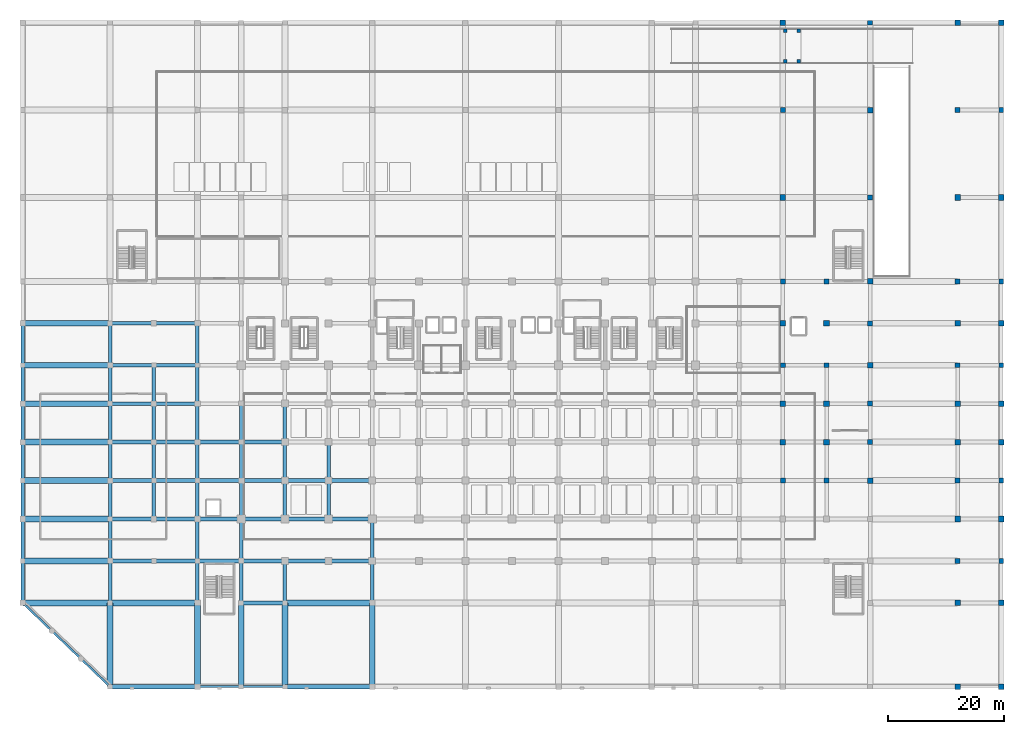
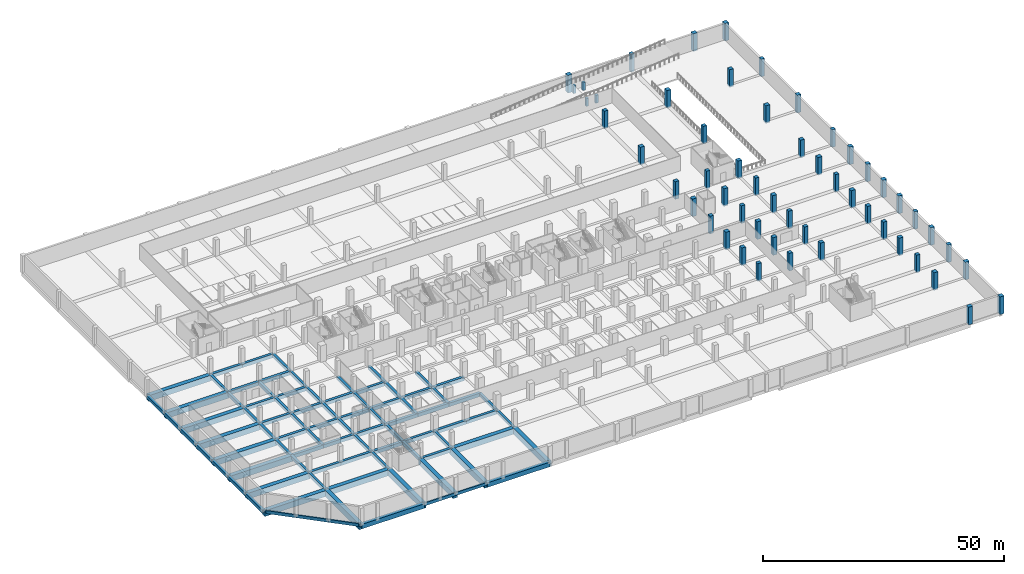
# One storey, part 2 of 25: 89 beams, 54 columns.
"""IFC4 building model written with IfcOpenShell, lengths in metres."""

from ifc_helpers import new_model, si_unit, direction, frame, origin, origin_2d, place, context, subcontext, project, spatial, rectangle, extrude, material, material_profile, profile_set, type_object, element, save


model = new_model("IFC4")

# Units and contexts
model_context = context("Model", 3, precision=1e-05, world=origin(), true_north=direction((0.0, 1.0)))
body_context = subcontext(model_context, "Body", "Model", "MODEL_VIEW")
ifc_project = project(units=[si_unit("LENGTHUNIT", "METRE"), si_unit("AREAUNIT", "SQUARE_METRE"), si_unit("VOLUMEUNIT", "CUBIC_METRE"), si_unit("PLANEANGLEUNIT", "RADIAN"), si_unit("MASSUNIT", "GRAM", prefix="KILO")], contexts=[model_context])

# Site, building, storey
site_placement = place(None, origin())
site = spatial("IfcSite", under=ifc_project, at=site_placement, CompositionType="ELEMENT")
building_placement = place(site_placement, origin())
building = spatial("IfcBuilding", under=site, at=building_placement, Name="Akrevak Sports Hall", CompositionType="ELEMENT")
storey_placement = place(building_placement, frame((0.0, 0.0, -4.5)))
storey = spatial("IfcBuildingStorey", under=building, at=storey_placement, Name="B01", CompositionType="ELEMENT", Elevation=-4.5)

# Columns
ifc_material_1 = material(Name="Concrete C40/50", Category="concrete")
ifc_material_profile_1 = material_profile(ifc_material_1, rectangle(XDim=0.60009765625, YDim=0.60009765625, at=origin_2d()), Name="RC 600x600", Category="concrete")
ifc_profile_set_1 = profile_set([ifc_material_profile_1], Name="Concrete C40/50")
column_type_1 = type_object("IfcColumnType", Name="STR-COL-RC600", PredefinedType="COLUMN", material=ifc_profile_set_1)
for number, where, z_axis, x_axis, name in (
    (1, (130.949951171875, 107.35009765625, 0.0), (0.0, 0.0, 1.0), (1.0, 0.0, 0.0), "Ramp R2 Mid-Landing Pier 1 (B01)"),
    (2, (133.25, 107.35009765625, 0.0), (0.0, 0.0, 1.0), (1.0, 0.0, 0.0), "Ramp R2 Mid-Landing Pier 2 (B01)"),
    (3, (130.949951171875, 112.64990234375, 0.0), (0.0, 0.0, 1.0), (1.0, 0.0, 0.0), "Ramp R2 Mid-Landing Pier 3 (B01)"),
    (4, (133.25, 112.64990234375, 0.0), (0.0, 0.0, 1.0), (1.0, 0.0, 0.0), "Ramp R2 Mid-Landing Pier 4 (B01)"),
):
    element("IfcColumn", number, at=place(storey_placement, frame(where, z_axis=z_axis, x_axis=x_axis)), inside=storey, type_object=column_type_1, Name=name, PredefinedType="COLUMN", context=body_context, shape_type="SweptSolid", body=[
        extrude(rectangle(XDim=0.60009765625, YDim=0.60009765625, at=origin_2d()), origin(), (0.0, 0.0, 1.0), 1.969970703125),
    ])
ifc_material_profile_2 = material_profile(ifc_material_1, rectangle(XDim=0.85009765625, YDim=0.85009765625, at=origin_2d()), Name="RC 850x850", Category="concrete")
ifc_profile_set_2 = profile_set([ifc_material_profile_2], Name="Concrete C40/50")
column_type_2 = type_object("IfcColumnType", Name="STR-COL-RC850", PredefinedType="COLUMN", material=ifc_profile_set_2)
for number, where, z_axis, x_axis, name in (
    (5, (130.5, 35.39990234375, -0.320068359375), (0.0, 0.0, 1.0), (1.0, 0.0, 0.0), "Column 18/F (B01)"),
    (6, (130.5, 55.199951171875, -0.320068359375), (0.0, 0.0, 1.0), (1.0, 0.0, 0.0), "Column 18/I (B01)"),
    (7, (130.5, 69.60009765625, -0.320068359375), (0.0, 0.0, 1.0), (1.0, 0.0, 0.0), "Column 18/K (B01)"),
    (8, (130.5, 99.0, -0.320068359375), (0.0, 0.0, 1.0), (1.0, 0.0, 0.0), "Column 18/O (B01)"),
    (9, (138.0, 35.39990234375, -0.320068359375), (0.0, 0.0, 1.0), (1.0, 0.0, 0.0), "Column 19/F (B01)"),
    (10, (138.0, 55.199951171875, -0.320068359375), (0.0, 0.0, 1.0), (1.0, 0.0, 0.0), "Column 19/I (B01)"),
    (11, (138.0, 69.60009765625, -0.320068359375), (0.0, 0.0, 1.0), (1.0, 0.0, 0.0), "Column 19/K (B01)"),
    (12, (145.5, 42.0, -0.320068359375), (0.0, 0.0, 1.0), (1.0, 0.0, 0.0), "Column 20/G (B01)"),
    (13, (145.5, 48.60009765625, -0.320068359375), (0.0, 0.0, 1.0), (1.0, 0.0, 0.0), "Column 20/H (B01)"),
    (14, (145.5, 62.39990234375, -0.320068359375), (0.0, 0.0, 1.0), (1.0, 0.0, 0.0), "Column 20/J (B01)"),
    (15, (145.5, 84.0, -0.320068359375), (0.0, 0.0, 1.0), (1.0, 0.0, 0.0), "Column 20/M (B01)"),
    (16, (145.5, 114.0, -0.320068359375), (0.0, 0.0, 1.0), (1.0, 0.0, 0.0), "Column 20/Q (B01)"),
    (17, (160.5, 21.60009765625, -0.320068359375), (0.0, 0.0, 1.0), (1.0, 0.0, 0.0), "Column 22/D (B01)"),
    (18, (160.5, 35.39990234375, -0.320068359375), (0.0, 0.0, 1.0), (1.0, 0.0, 0.0), "Column 22/F (B01)"),
    (19, (160.5, 55.199951171875, -0.320068359375), (0.0, 0.0, 1.0), (1.0, 0.0, 0.0), "Column 22/I (B01)"),
    (20, (160.5, 69.60009765625, -0.320068359375), (0.0, 0.0, 1.0), (1.0, 0.0, 0.0), "Column 22/K (B01)"),
    (21, (160.5, 99.0, -0.320068359375), (0.0, 0.0, 1.0), (1.0, 0.0, 0.0), "Column 22/O (B01)"),
    (22, (168.0, 21.60009765625, -0.320068359375), (0.0, 0.0, 1.0), (1.0, 0.0, 0.0), "Column 23/D (B01)"),
    (23, (168.0, 35.39990234375, -0.320068359375), (0.0, 0.0, 1.0), (1.0, 0.0, 0.0), "Column 23/F (B01)"),
    (24, (168.0, 55.199951171875, -0.320068359375), (0.0, 0.0, 1.0), (1.0, 0.0, 0.0), "Column 23/I (B01)"),
    (25, (168.0, 69.60009765625, -0.320068359375), (0.0, 0.0, 1.0), (1.0, 0.0, 0.0), "Column 23/K (B01)"),
    (26, (168.0, 99.0, -0.320068359375), (0.0, 0.0, 1.0), (1.0, 0.0, 0.0), "Column 23/O (B01)"),
):
    element("IfcColumn", number, at=place(storey_placement, frame(where, z_axis=z_axis, x_axis=x_axis)), inside=storey, type_object=column_type_2, Name=name, PredefinedType="COLUMN", context=body_context, shape_type="SweptSolid", body=[
        extrude(rectangle(XDim=0.85009765625, YDim=0.85009765625, at=origin_2d()), origin(), (0.0, 0.0, 1.0), 4.469970703125),
    ])
ifc_material_2 = material(Name="Concrete C50/60", Category="concrete")
ifc_material_profile_3 = material_profile(ifc_material_2, rectangle(XDim=0.949951171875, YDim=0.949951171875, at=origin_2d()), Name="RC 950x950", Category="concrete")
ifc_profile_set_3 = profile_set([ifc_material_profile_3], Name="Concrete C50/60")
column_type_3 = type_object("IfcColumnType", Name="STR-COL-RC950", PredefinedType="COLUMN", material=ifc_profile_set_3)
for number, where, z_axis, x_axis, name in (
    (27, (130.5, 42.0, -0.320068359375), (0.0, 0.0, 1.0), (1.0, 0.0, 0.0), "Column 18/G (B01)"),
    (28, (130.5, 48.60009765625, -0.320068359375), (0.0, 0.0, 1.0), (1.0, 0.0, 0.0), "Column 18/H (B01)"),
    (29, (130.5, 62.39990234375, -0.320068359375), (0.0, 0.0, 1.0), (1.0, 0.0, 0.0), "Column 18/J (B01)"),
    (30, (130.5, 84.0, -0.320068359375), (0.0, 0.0, 1.0), (1.0, 0.0, 0.0), "Column 18/M (B01)"),
    (31, (130.5, 114.0, -0.320068359375), (0.0, 0.0, 1.0), (1.0, 0.0, 0.0), "Column 18/Q (B01)"),
    (32, (138.0, 42.0, -0.320068359375), (0.0, 0.0, 1.0), (1.0, 0.0, 0.0), "Column 19/G (B01)"),
    (33, (138.0, 48.60009765625, -0.320068359375), (0.0, 0.0, 1.0), (1.0, 0.0, 0.0), "Column 19/H (B01)"),
    (34, (138.0, 62.39990234375, -0.320068359375), (0.0, 0.0, 1.0), (1.0, 0.0, 0.0), "Column 19/J (B01)"),
    (35, (145.5, 35.39990234375, -0.320068359375), (0.0, 0.0, 1.0), (1.0, 0.0, 0.0), "Column 20/F (B01)"),
    (36, (145.5, 55.199951171875, -0.320068359375), (0.0, 0.0, 1.0), (1.0, 0.0, 0.0), "Column 20/I (B01)"),
    (37, (145.5, 69.60009765625, -0.320068359375), (0.0, 0.0, 1.0), (1.0, 0.0, 0.0), "Column 20/K (B01)"),
    (38, (145.5, 99.0, -0.320068359375), (0.0, 0.0, 1.0), (1.0, 0.0, 0.0), "Column 20/O (B01)"),
    (39, (160.5, 0.0, -0.320068359375), (0.0, 0.0, 1.0), (1.0, 0.0, 0.0), "Column 22/A (B01)"),
    (40, (160.5, 14.39990234375, -0.320068359375), (0.0, 0.0, 1.0), (1.0, 0.0, 0.0), "Column 22/C (B01)"),
    (41, (160.5, 28.800048828125, -0.320068359375), (0.0, 0.0, 1.0), (1.0, 0.0, 0.0), "Column 22/E (B01)"),
    (42, (160.5, 42.0, -0.320068359375), (0.0, 0.0, 1.0), (1.0, 0.0, 0.0), "Column 22/G (B01)"),
    (43, (160.5, 48.60009765625, -0.320068359375), (0.0, 0.0, 1.0), (1.0, 0.0, 0.0), "Column 22/H (B01)"),
    (44, (160.5, 62.39990234375, -0.320068359375), (0.0, 0.0, 1.0), (1.0, 0.0, 0.0), "Column 22/J (B01)"),
    (45, (160.5, 84.0, -0.320068359375), (0.0, 0.0, 1.0), (1.0, 0.0, 0.0), "Column 22/M (B01)"),
    (46, (160.5, 114.0, -0.320068359375), (0.0, 0.0, 1.0), (1.0, 0.0, 0.0), "Column 22/Q (B01)"),
    (47, (168.0, 0.0, -0.320068359375), (0.0, 0.0, 1.0), (1.0, 0.0, 0.0), "Column 23/A (B01)"),
    (48, (168.0, 14.39990234375, -0.320068359375), (0.0, 0.0, 1.0), (1.0, 0.0, 0.0), "Column 23/C (B01)"),
    (49, (168.0, 28.800048828125, -0.320068359375), (0.0, 0.0, 1.0), (1.0, 0.0, 0.0), "Column 23/E (B01)"),
    (50, (168.0, 42.0, -0.320068359375), (0.0, 0.0, 1.0), (1.0, 0.0, 0.0), "Column 23/G (B01)"),
    (51, (168.0, 48.60009765625, -0.320068359375), (0.0, 0.0, 1.0), (1.0, 0.0, 0.0), "Column 23/H (B01)"),
    (52, (168.0, 62.39990234375, -0.320068359375), (0.0, 0.0, 1.0), (1.0, 0.0, 0.0), "Column 23/J (B01)"),
    (53, (168.0, 84.0, -0.320068359375), (0.0, 0.0, 1.0), (1.0, 0.0, 0.0), "Column 23/M (B01)"),
    (54, (168.0, 114.0, -0.320068359375), (0.0, 0.0, 1.0), (1.0, 0.0, 0.0), "Column 23/Q (B01)"),
):
    element("IfcColumn", number, at=place(storey_placement, frame(where, z_axis=z_axis, x_axis=x_axis)), inside=storey, type_object=column_type_3, Name=name, PredefinedType="COLUMN", context=body_context, shape_type="SweptSolid", body=[
        extrude(rectangle(XDim=0.949951171875, YDim=0.949951171875, at=origin_2d()), origin(), (0.0, 0.0, 1.0), 4.469970703125),
    ])

# Beams
ifc_material_profile_4 = material_profile(ifc_material_2, rectangle(XDim=1.0, YDim=1.449951171875, at=origin_2d()), Name="BM 1000x1450", Category="concrete")
ifc_profile_set_4 = profile_set([ifc_material_profile_4], Name="Concrete C50/60")
beam_type_1 = type_object("IfcBeamType", Name="STR-BM-LG1000x1450", PredefinedType="BEAM", material=ifc_profile_set_4)
for number, where, z_axis, x_axis, name in (
    (55, (0.0, 14.39990234375, -0.72509765625), (1.0, 0.0, 0.0), (0.0, 1.0, 0.0), "Girder C/1-3 (B01)"),
    (56, (15.0, 14.39990234375, -0.72509765625), (1.0, 0.0, 0.0), (0.0, 1.0, 0.0), "Girder C/3-5 (B01)"),
    (57, (45.0, 14.39990234375, -0.72509765625), (1.0, 0.0, 0.0), (0.0, 1.0, 0.0), "Girder C/7-9 (B01)"),
    (58, (0.0, 21.60009765625, -0.72509765625), (1.0, 0.0, 0.0), (0.0, 1.0, 0.0), "Girder D/1-3 (B01)"),
    (59, (0.0, 28.800048828125, -0.72509765625), (1.0, 0.0, 0.0), (0.0, 1.0, 0.0), "Girder E/1-3 (B01)"),
    (60, (0.0, 35.39990234375, -0.72509765625), (1.0, 0.0, 0.0), (0.0, 1.0, 0.0), "Girder F/1-3 (B01)"),
    (61, (0.0, 42.0, -0.72509765625), (1.0, 0.0, 0.0), (0.0, 1.0, 0.0), "Girder G/1-3 (B01)"),
    (62, (0.0, 48.60009765625, -0.72509765625), (1.0, 0.0, 0.0), (0.0, 1.0, 0.0), "Girder H/1-3 (B01)"),
    (63, (0.0, 55.199951171875, -0.72509765625), (1.0, 0.0, 0.0), (0.0, 1.0, 0.0), "Girder I/1-3 (B01)"),
    (64, (0.0, 62.39990234375, -0.72509765625), (1.0, 0.0, 0.0), (0.0, 1.0, 0.0), "Girder J/1-3 (B01)"),
):
    element("IfcBeam", number, at=place(storey_placement, frame(where, z_axis=z_axis, x_axis=x_axis)), inside=storey, type_object=beam_type_1, Name=name, PredefinedType="BEAM", context=body_context, shape_type="SweptSolid", body=[
        extrude(rectangle(XDim=1.0, YDim=1.449951171875, at=origin_2d()), origin(), (0.0, 0.0, 1.0), 15.0),
    ])
for number, where, z_axis, x_axis, name in (
    (65, (15.0, 0.0, -0.72509765625), (0.0, 1.0, 0.0), (-1.0, 0.0, 0.0), "Girder 3/A-C (B01)"),
    (66, (30.0, 0.0, -0.72509765625), (0.0, 1.0, 0.0), (-1.0, 0.0, 0.0), "Girder 5/A-C (B01)"),
    (67, (37.5, 0.0, -0.72509765625), (0.0, 1.0, 0.0), (-1.0, 0.0, 0.0), "Girder 6/A-C (B01)"),
    (68, (45.0, 0.0, -0.72509765625), (0.0, 1.0, 0.0), (-1.0, 0.0, 0.0), "Girder 7/A-C (B01)"),
    (69, (60.0, 0.0, -0.72509765625), (0.0, 1.0, 0.0), (-1.0, 0.0, 0.0), "Girder 9/A-C (B01)"),
):
    element("IfcBeam", number, at=place(storey_placement, frame(where, z_axis=z_axis, x_axis=x_axis)), inside=storey, type_object=beam_type_1, Name=name, PredefinedType="BEAM", context=body_context, shape_type="SweptSolid", body=[
        extrude(rectangle(XDim=1.0, YDim=1.449951171875, at=origin_2d()), origin(), (0.0, 0.0, 1.0), 14.39990234375),
    ])
ifc_material_profile_5 = material_profile(ifc_material_1, rectangle(XDim=0.60009765625, YDim=0.85009765625, at=origin_2d()), Name="BM 600x850", Category="concrete")
ifc_profile_set_5 = profile_set([ifc_material_profile_5], Name="Concrete C40/50")
beam_type_2 = type_object("IfcBeamType", Name="STR-BM-RC600x850", PredefinedType="BEAM", material=ifc_profile_set_5)
beam_1_placement = place(storey_placement, frame((0.0, 14.39990234375, -0.425048828125), z_axis=(0.0, 1.0, 0.0), x_axis=(-1.0, 0.0, 0.0)))
element("IfcBeam", 70, at=beam_1_placement, inside=storey, type_object=beam_type_2, Name="Girder 1/C-D (B01)", PredefinedType="BEAM", context=body_context, shape_type="SweptSolid", body=[
    extrude(rectangle(XDim=0.60009765625, YDim=0.85009765625, at=origin_2d()), origin(), (0.0, 0.0, 1.0), 7.2001953125),
])
beam_2_placement = place(storey_placement, frame((0.0, 21.60009765625, -0.425048828125), z_axis=(0.0, 1.0, 0.0), x_axis=(-1.0, 0.0, 0.0)))
element("IfcBeam", 71, at=beam_2_placement, inside=storey, type_object=beam_type_2, Name="Girder 1/D-E (B01)", PredefinedType="BEAM", context=body_context, shape_type="SweptSolid", body=[
    extrude(rectangle(XDim=0.60009765625, YDim=0.85009765625, at=origin_2d()), origin(), (0.0, 0.0, 1.0), 7.199951171875),
])
beam_3_placement = place(storey_placement, frame((0.0, 28.800048828125, -0.425048828125), z_axis=(0.0, 1.0, 0.0), x_axis=(-1.0, 0.0, 0.0)))
element("IfcBeam", 72, at=beam_3_placement, inside=storey, type_object=beam_type_2, Name="Girder 1/E-F (B01)", PredefinedType="BEAM", context=body_context, shape_type="SweptSolid", body=[
    extrude(rectangle(XDim=0.60009765625, YDim=0.85009765625, at=origin_2d()), origin(), (0.0, 0.0, 1.0), 6.599853515625),
])
for number, where, z_axis, x_axis, name in (
    (73, (0.0, 35.39990234375, -0.425048828125), (0.0, 1.0, 0.0), (-1.0, 0.0, 0.0), "Girder 1/F-G (B01)"),
    (74, (0.0, 42.0, -0.425048828125), (0.0, 1.0, 0.0), (-1.0, 0.0, 0.0), "Girder 1/G-H (B01)"),
):
    element("IfcBeam", number, at=place(storey_placement, frame(where, z_axis=z_axis, x_axis=x_axis)), inside=storey, type_object=beam_type_2, Name=name, PredefinedType="BEAM", context=body_context, shape_type="SweptSolid", body=[
        extrude(rectangle(XDim=0.60009765625, YDim=0.85009765625, at=origin_2d()), origin(), (0.0, 0.0, 1.0), 6.60009765625),
    ])
beam_4_placement = place(storey_placement, frame((0.0, 48.60009765625, -0.425048828125), z_axis=(0.0, 1.0, 0.0), x_axis=(-1.0, 0.0, 0.0)))
element("IfcBeam", 75, at=beam_4_placement, inside=storey, type_object=beam_type_2, Name="Girder 1/H-I (B01)", PredefinedType="BEAM", context=body_context, shape_type="SweptSolid", body=[
    extrude(rectangle(XDim=0.60009765625, YDim=0.85009765625, at=origin_2d()), origin(), (0.0, 0.0, 1.0), 6.599853515625),
])
beam_5_placement = place(storey_placement, frame((0.0, 55.199951171875, -0.425048828125), z_axis=(0.0, 1.0, 0.0), x_axis=(-1.0, 0.0, 0.0)))
element("IfcBeam", 76, at=beam_5_placement, inside=storey, type_object=beam_type_2, Name="Girder 1/I-J (B01)", PredefinedType="BEAM", context=body_context, shape_type="SweptSolid", body=[
    extrude(rectangle(XDim=0.60009765625, YDim=0.85009765625, at=origin_2d()), origin(), (0.0, 0.0, 1.0), 7.199951171875),
])
beam_6_placement = place(storey_placement, frame((15.0, 14.39990234375, -0.425048828125), z_axis=(0.0, 1.0, 0.0), x_axis=(-1.0, 0.0, 0.0)))
element("IfcBeam", 77, at=beam_6_placement, inside=storey, type_object=beam_type_2, Name="Girder 3/C-D (B01)", PredefinedType="BEAM", context=body_context, shape_type="SweptSolid", body=[
    extrude(rectangle(XDim=0.60009765625, YDim=0.85009765625, at=origin_2d()), origin(), (0.0, 0.0, 1.0), 7.2001953125),
])
beam_7_placement = place(storey_placement, frame((15.0, 21.60009765625, -0.425048828125), z_axis=(0.0, 1.0, 0.0), x_axis=(-1.0, 0.0, 0.0)))
element("IfcBeam", 78, at=beam_7_placement, inside=storey, type_object=beam_type_2, Name="Girder 3/D-E (B01)", PredefinedType="BEAM", context=body_context, shape_type="SweptSolid", body=[
    extrude(rectangle(XDim=0.60009765625, YDim=0.85009765625, at=origin_2d()), origin(), (0.0, 0.0, 1.0), 7.199951171875),
])
beam_8_placement = place(storey_placement, frame((15.0, 28.800048828125, -0.425048828125), z_axis=(0.0, 1.0, 0.0), x_axis=(-1.0, 0.0, 0.0)))
element("IfcBeam", 79, at=beam_8_placement, inside=storey, type_object=beam_type_2, Name="Girder 3/E-F (B01)", PredefinedType="BEAM", context=body_context, shape_type="SweptSolid", body=[
    extrude(rectangle(XDim=0.60009765625, YDim=0.85009765625, at=origin_2d()), origin(), (0.0, 0.0, 1.0), 6.599853515625),
])
for number, where, z_axis, x_axis, name in (
    (80, (15.0, 35.39990234375, -0.425048828125), (0.0, 1.0, 0.0), (-1.0, 0.0, 0.0), "Girder 3/F-G (B01)"),
    (81, (15.0, 42.0, -0.425048828125), (0.0, 1.0, 0.0), (-1.0, 0.0, 0.0), "Girder 3/G-H (B01)"),
):
    element("IfcBeam", number, at=place(storey_placement, frame(where, z_axis=z_axis, x_axis=x_axis)), inside=storey, type_object=beam_type_2, Name=name, PredefinedType="BEAM", context=body_context, shape_type="SweptSolid", body=[
        extrude(rectangle(XDim=0.60009765625, YDim=0.85009765625, at=origin_2d()), origin(), (0.0, 0.0, 1.0), 6.60009765625),
    ])
beam_9_placement = place(storey_placement, frame((15.0, 48.60009765625, -0.425048828125), z_axis=(0.0, 1.0, 0.0), x_axis=(-1.0, 0.0, 0.0)))
element("IfcBeam", 82, at=beam_9_placement, inside=storey, type_object=beam_type_2, Name="Girder 3/H-I (B01)", PredefinedType="BEAM", context=body_context, shape_type="SweptSolid", body=[
    extrude(rectangle(XDim=0.60009765625, YDim=0.85009765625, at=origin_2d()), origin(), (0.0, 0.0, 1.0), 6.599853515625),
])
beam_10_placement = place(storey_placement, frame((15.0, 55.199951171875, -0.425048828125), z_axis=(0.0, 1.0, 0.0), x_axis=(-1.0, 0.0, 0.0)))
element("IfcBeam", 83, at=beam_10_placement, inside=storey, type_object=beam_type_2, Name="Girder 3/I-J (B01)", PredefinedType="BEAM", context=body_context, shape_type="SweptSolid", body=[
    extrude(rectangle(XDim=0.60009765625, YDim=0.85009765625, at=origin_2d()), origin(), (0.0, 0.0, 1.0), 7.199951171875),
])
beam_11_placement = place(storey_placement, frame((22.5, 28.800048828125, -0.425048828125), z_axis=(0.0, 1.0, 0.0), x_axis=(-1.0, 0.0, 0.0)))
element("IfcBeam", 84, at=beam_11_placement, inside=storey, type_object=beam_type_2, Name="Girder 4/E-F (B01)", PredefinedType="BEAM", context=body_context, shape_type="SweptSolid", body=[
    extrude(rectangle(XDim=0.60009765625, YDim=0.85009765625, at=origin_2d()), origin(), (0.0, 0.0, 1.0), 6.599853515625),
])
for number, where, z_axis, x_axis, name in (
    (85, (22.5, 35.39990234375, -0.425048828125), (0.0, 1.0, 0.0), (-1.0, 0.0, 0.0), "Girder 4/F-G (B01)"),
    (86, (22.5, 42.0, -0.425048828125), (0.0, 1.0, 0.0), (-1.0, 0.0, 0.0), "Girder 4/G-H (B01)"),
):
    element("IfcBeam", number, at=place(storey_placement, frame(where, z_axis=z_axis, x_axis=x_axis)), inside=storey, type_object=beam_type_2, Name=name, PredefinedType="BEAM", context=body_context, shape_type="SweptSolid", body=[
        extrude(rectangle(XDim=0.60009765625, YDim=0.85009765625, at=origin_2d()), origin(), (0.0, 0.0, 1.0), 6.60009765625),
    ])
beam_12_placement = place(storey_placement, frame((22.5, 48.60009765625, -0.425048828125), z_axis=(0.0, 1.0, 0.0), x_axis=(-1.0, 0.0, 0.0)))
element("IfcBeam", 87, at=beam_12_placement, inside=storey, type_object=beam_type_2, Name="Girder 4/H-I (B01)", PredefinedType="BEAM", context=body_context, shape_type="SweptSolid", body=[
    extrude(rectangle(XDim=0.60009765625, YDim=0.85009765625, at=origin_2d()), origin(), (0.0, 0.0, 1.0), 6.599853515625),
])
beam_13_placement = place(storey_placement, frame((30.0, 14.39990234375, -0.425048828125), z_axis=(0.0, 1.0, 0.0), x_axis=(-1.0, 0.0, 0.0)))
element("IfcBeam", 88, at=beam_13_placement, inside=storey, type_object=beam_type_2, Name="Girder 5/C-D (B01)", PredefinedType="BEAM", context=body_context, shape_type="SweptSolid", body=[
    extrude(rectangle(XDim=0.60009765625, YDim=0.85009765625, at=origin_2d()), origin(), (0.0, 0.0, 1.0), 7.2001953125),
])
beam_14_placement = place(storey_placement, frame((30.0, 21.60009765625, -0.425048828125), z_axis=(0.0, 1.0, 0.0), x_axis=(-1.0, 0.0, 0.0)))
element("IfcBeam", 89, at=beam_14_placement, inside=storey, type_object=beam_type_2, Name="Girder 5/D-E (B01)", PredefinedType="BEAM", context=body_context, shape_type="SweptSolid", body=[
    extrude(rectangle(XDim=0.60009765625, YDim=0.85009765625, at=origin_2d()), origin(), (0.0, 0.0, 1.0), 7.199951171875),
])
beam_15_placement = place(storey_placement, frame((30.0, 28.800048828125, -0.425048828125), z_axis=(0.0, 1.0, 0.0), x_axis=(-1.0, 0.0, 0.0)))
element("IfcBeam", 90, at=beam_15_placement, inside=storey, type_object=beam_type_2, Name="Girder 5/E-F (B01)", PredefinedType="BEAM", context=body_context, shape_type="SweptSolid", body=[
    extrude(rectangle(XDim=0.60009765625, YDim=0.85009765625, at=origin_2d()), origin(), (0.0, 0.0, 1.0), 6.599853515625),
])
for number, where, z_axis, x_axis, name in (
    (91, (30.0, 35.39990234375, -0.425048828125), (0.0, 1.0, 0.0), (-1.0, 0.0, 0.0), "Girder 5/F-G (B01)"),
    (92, (30.0, 42.0, -0.425048828125), (0.0, 1.0, 0.0), (-1.0, 0.0, 0.0), "Girder 5/G-H (B01)"),
):
    element("IfcBeam", number, at=place(storey_placement, frame(where, z_axis=z_axis, x_axis=x_axis)), inside=storey, type_object=beam_type_2, Name=name, PredefinedType="BEAM", context=body_context, shape_type="SweptSolid", body=[
        extrude(rectangle(XDim=0.60009765625, YDim=0.85009765625, at=origin_2d()), origin(), (0.0, 0.0, 1.0), 6.60009765625),
    ])
beam_16_placement = place(storey_placement, frame((30.0, 48.60009765625, -0.425048828125), z_axis=(0.0, 1.0, 0.0), x_axis=(-1.0, 0.0, 0.0)))
element("IfcBeam", 93, at=beam_16_placement, inside=storey, type_object=beam_type_2, Name="Girder 5/H-I (B01)", PredefinedType="BEAM", context=body_context, shape_type="SweptSolid", body=[
    extrude(rectangle(XDim=0.60009765625, YDim=0.85009765625, at=origin_2d()), origin(), (0.0, 0.0, 1.0), 6.599853515625),
])
beam_17_placement = place(storey_placement, frame((30.0, 55.199951171875, -0.425048828125), z_axis=(0.0, 1.0, 0.0), x_axis=(-1.0, 0.0, 0.0)))
element("IfcBeam", 94, at=beam_17_placement, inside=storey, type_object=beam_type_2, Name="Girder 5/I-J (B01)", PredefinedType="BEAM", context=body_context, shape_type="SweptSolid", body=[
    extrude(rectangle(XDim=0.60009765625, YDim=0.85009765625, at=origin_2d()), origin(), (0.0, 0.0, 1.0), 7.199951171875),
])
beam_18_placement = place(storey_placement, frame((37.5, 14.39990234375, -0.425048828125), z_axis=(0.0, 1.0, 0.0), x_axis=(-1.0, 0.0, 0.0)))
element("IfcBeam", 95, at=beam_18_placement, inside=storey, type_object=beam_type_2, Name="Girder 6/C-D (B01)", PredefinedType="BEAM", context=body_context, shape_type="SweptSolid", body=[
    extrude(rectangle(XDim=0.60009765625, YDim=0.85009765625, at=origin_2d()), origin(), (0.0, 0.0, 1.0), 7.2001953125),
])
beam_19_placement = place(storey_placement, frame((37.5, 21.60009765625, -0.425048828125), z_axis=(0.0, 1.0, 0.0), x_axis=(-1.0, 0.0, 0.0)))
element("IfcBeam", 96, at=beam_19_placement, inside=storey, type_object=beam_type_2, Name="Girder 6/D-E (B01)", PredefinedType="BEAM", context=body_context, shape_type="SweptSolid", body=[
    extrude(rectangle(XDim=0.60009765625, YDim=0.85009765625, at=origin_2d()), origin(), (0.0, 0.0, 1.0), 7.199951171875),
])
beam_20_placement = place(storey_placement, frame((37.5, 28.800048828125, -0.425048828125), z_axis=(0.0, 1.0, 0.0), x_axis=(-1.0, 0.0, 0.0)))
element("IfcBeam", 97, at=beam_20_placement, inside=storey, type_object=beam_type_2, Name="Girder 6/E-F (B01)", PredefinedType="BEAM", context=body_context, shape_type="SweptSolid", body=[
    extrude(rectangle(XDim=0.60009765625, YDim=0.85009765625, at=origin_2d()), origin(), (0.0, 0.0, 1.0), 6.599853515625),
])
for number, where, z_axis, x_axis, name in (
    (98, (37.5, 35.39990234375, -0.425048828125), (0.0, 1.0, 0.0), (-1.0, 0.0, 0.0), "Girder 6/F-G (B01)"),
    (99, (37.5, 42.0, -0.425048828125), (0.0, 1.0, 0.0), (-1.0, 0.0, 0.0), "Girder 6/G-H (B01)"),
):
    element("IfcBeam", number, at=place(storey_placement, frame(where, z_axis=z_axis, x_axis=x_axis)), inside=storey, type_object=beam_type_2, Name=name, PredefinedType="BEAM", context=body_context, shape_type="SweptSolid", body=[
        extrude(rectangle(XDim=0.60009765625, YDim=0.85009765625, at=origin_2d()), origin(), (0.0, 0.0, 1.0), 6.60009765625),
    ])
beam_21_placement = place(storey_placement, frame((45.0, 14.39990234375, -0.425048828125), z_axis=(0.0, 1.0, 0.0), x_axis=(-1.0, 0.0, 0.0)))
element("IfcBeam", 100, at=beam_21_placement, inside=storey, type_object=beam_type_2, Name="Girder 7/C-D (B01)", PredefinedType="BEAM", context=body_context, shape_type="SweptSolid", body=[
    extrude(rectangle(XDim=0.60009765625, YDim=0.85009765625, at=origin_2d()), origin(), (0.0, 0.0, 1.0), 7.2001953125),
])
beam_22_placement = place(storey_placement, frame((45.0, 28.800048828125, -0.425048828125), z_axis=(0.0, 1.0, 0.0), x_axis=(-1.0, 0.0, 0.0)))
element("IfcBeam", 101, at=beam_22_placement, inside=storey, type_object=beam_type_2, Name="Girder 7/E-F (B01)", PredefinedType="BEAM", context=body_context, shape_type="SweptSolid", body=[
    extrude(rectangle(XDim=0.60009765625, YDim=0.85009765625, at=origin_2d()), origin(), (0.0, 0.0, 1.0), 6.599853515625),
])
for number, where, z_axis, x_axis, name in (
    (102, (45.0, 35.39990234375, -0.425048828125), (0.0, 1.0, 0.0), (-1.0, 0.0, 0.0), "Girder 7/F-G (B01)"),
    (103, (45.0, 42.0, -0.425048828125), (0.0, 1.0, 0.0), (-1.0, 0.0, 0.0), "Girder 7/G-H (B01)"),
):
    element("IfcBeam", number, at=place(storey_placement, frame(where, z_axis=z_axis, x_axis=x_axis)), inside=storey, type_object=beam_type_2, Name=name, PredefinedType="BEAM", context=body_context, shape_type="SweptSolid", body=[
        extrude(rectangle(XDim=0.60009765625, YDim=0.85009765625, at=origin_2d()), origin(), (0.0, 0.0, 1.0), 6.60009765625),
    ])
beam_23_placement = place(storey_placement, frame((52.5, 28.800048828125, -0.425048828125), z_axis=(0.0, 1.0, 0.0), x_axis=(-1.0, 0.0, 0.0)))
element("IfcBeam", 104, at=beam_23_placement, inside=storey, type_object=beam_type_2, Name="Girder 8/E-F (B01)", PredefinedType="BEAM", context=body_context, shape_type="SweptSolid", body=[
    extrude(rectangle(XDim=0.60009765625, YDim=0.85009765625, at=origin_2d()), origin(), (0.0, 0.0, 1.0), 6.599853515625),
])
beam_24_placement = place(storey_placement, frame((52.5, 35.39990234375, -0.425048828125), z_axis=(0.0, 1.0, 0.0), x_axis=(-1.0, 0.0, 0.0)))
element("IfcBeam", 105, at=beam_24_placement, inside=storey, type_object=beam_type_2, Name="Girder 8/F-G (B01)", PredefinedType="BEAM", context=body_context, shape_type="SweptSolid", body=[
    extrude(rectangle(XDim=0.60009765625, YDim=0.85009765625, at=origin_2d()), origin(), (0.0, 0.0, 1.0), 6.60009765625),
])
ifc_material_profile_6 = material_profile(ifc_material_1, rectangle(XDim=0.64990234375, YDim=0.89990234375, at=origin_2d()), Name="BM 650x900", Category="concrete")
ifc_profile_set_6 = profile_set([ifc_material_profile_6], Name="Concrete C40/50")
beam_type_3 = type_object("IfcBeamType", Name="STR-BM-RC650x900", PredefinedType="BEAM", material=ifc_profile_set_6)
for number, where, z_axis, x_axis, name in (
    (106, (37.5, 14.39990234375, -0.449951171875), (1.0, 0.0, 0.0), (0.0, 1.0, 0.0), "Girder C/6-7 (B01)"),
    (107, (15.0, 21.60009765625, -0.449951171875), (1.0, 0.0, 0.0), (0.0, 1.0, 0.0), "Girder D/3-4 (B01)"),
    (108, (22.5, 21.60009765625, -0.449951171875), (1.0, 0.0, 0.0), (0.0, 1.0, 0.0), "Girder D/4-5 (B01)"),
    (109, (30.0, 21.60009765625, -0.449951171875), (1.0, 0.0, 0.0), (0.0, 1.0, 0.0), "Girder D/5-6 (B01)"),
    (110, (37.5, 21.60009765625, -0.449951171875), (1.0, 0.0, 0.0), (0.0, 1.0, 0.0), "Girder D/6-7 (B01)"),
    (111, (45.0, 21.60009765625, -0.449951171875), (1.0, 0.0, 0.0), (0.0, 1.0, 0.0), "Girder D/7-8 (B01)"),
    (112, (52.5, 21.60009765625, -0.449951171875), (1.0, 0.0, 0.0), (0.0, 1.0, 0.0), "Girder D/8-9 (B01)"),
    (113, (15.0, 28.800048828125, -0.449951171875), (1.0, 0.0, 0.0), (0.0, 1.0, 0.0), "Girder E/3-4 (B01)"),
    (114, (22.5, 28.800048828125, -0.449951171875), (1.0, 0.0, 0.0), (0.0, 1.0, 0.0), "Girder E/4-5 (B01)"),
    (115, (30.0, 28.800048828125, -0.449951171875), (1.0, 0.0, 0.0), (0.0, 1.0, 0.0), "Girder E/5-6 (B01)"),
    (116, (37.5, 28.800048828125, -0.449951171875), (1.0, 0.0, 0.0), (0.0, 1.0, 0.0), "Girder E/6-7 (B01)"),
    (117, (45.0, 28.800048828125, -0.449951171875), (1.0, 0.0, 0.0), (0.0, 1.0, 0.0), "Girder E/7-8 (B01)"),
    (118, (52.5, 28.800048828125, -0.449951171875), (1.0, 0.0, 0.0), (0.0, 1.0, 0.0), "Girder E/8-9 (B01)"),
    (119, (15.0, 35.39990234375, -0.449951171875), (1.0, 0.0, 0.0), (0.0, 1.0, 0.0), "Girder F/3-4 (B01)"),
    (120, (22.5, 35.39990234375, -0.449951171875), (1.0, 0.0, 0.0), (0.0, 1.0, 0.0), "Girder F/4-5 (B01)"),
    (121, (30.0, 35.39990234375, -0.449951171875), (1.0, 0.0, 0.0), (0.0, 1.0, 0.0), "Girder F/5-6 (B01)"),
    (122, (37.5, 35.39990234375, -0.449951171875), (1.0, 0.0, 0.0), (0.0, 1.0, 0.0), "Girder F/6-7 (B01)"),
    (123, (45.0, 35.39990234375, -0.449951171875), (1.0, 0.0, 0.0), (0.0, 1.0, 0.0), "Girder F/7-8 (B01)"),
    (124, (52.5, 35.39990234375, -0.449951171875), (1.0, 0.0, 0.0), (0.0, 1.0, 0.0), "Girder F/8-9 (B01)"),
    (125, (15.0, 42.0, -0.449951171875), (1.0, 0.0, 0.0), (0.0, 1.0, 0.0), "Girder G/3-4 (B01)"),
    (126, (22.5, 42.0, -0.449951171875), (1.0, 0.0, 0.0), (0.0, 1.0, 0.0), "Girder G/4-5 (B01)"),
    (127, (30.0, 42.0, -0.449951171875), (1.0, 0.0, 0.0), (0.0, 1.0, 0.0), "Girder G/5-6 (B01)"),
    (128, (37.5, 42.0, -0.449951171875), (1.0, 0.0, 0.0), (0.0, 1.0, 0.0), "Girder G/6-7 (B01)"),
    (129, (15.0, 48.60009765625, -0.449951171875), (1.0, 0.0, 0.0), (0.0, 1.0, 0.0), "Girder H/3-4 (B01)"),
    (130, (22.5, 48.60009765625, -0.449951171875), (1.0, 0.0, 0.0), (0.0, 1.0, 0.0), "Girder H/4-5 (B01)"),
    (131, (15.0, 55.199951171875, -0.449951171875), (1.0, 0.0, 0.0), (0.0, 1.0, 0.0), "Girder I/3-4 (B01)"),
    (132, (22.5, 55.199951171875, -0.449951171875), (1.0, 0.0, 0.0), (0.0, 1.0, 0.0), "Girder I/4-5 (B01)"),
    (133, (15.0, 62.39990234375, -0.449951171875), (1.0, 0.0, 0.0), (0.0, 1.0, 0.0), "Girder J/3-4 (B01)"),
    (134, (22.5, 62.39990234375, -0.449951171875), (1.0, 0.0, 0.0), (0.0, 1.0, 0.0), "Girder J/4-5 (B01)"),
):
    element("IfcBeam", number, at=place(storey_placement, frame(where, z_axis=z_axis, x_axis=x_axis)), inside=storey, type_object=beam_type_3, Name=name, PredefinedType="BEAM", context=body_context, shape_type="SweptSolid", body=[
        extrude(rectangle(XDim=0.64990234375, YDim=0.89990234375, at=origin_2d()), origin(), (0.0, 0.0, 1.0), 7.5),
    ])
ifc_material_profile_7 = material_profile(ifc_material_2, rectangle(XDim=0.75, YDim=1.14990234375, at=origin_2d()), Name="SPD 750x1150", Category="concrete")
ifc_profile_set_7 = profile_set([ifc_material_profile_7], Name="Concrete C50/60")
beam_type_4 = type_object("IfcBeamType", Name="STR-SPD-LSP750x1150", PredefinedType="SPANDREL", material=ifc_profile_set_7)
for number, where, z_axis, x_axis, name in (
    (135, (15.0, 0.0, -0.574951171875), (1.0, 0.0, 0.0), (0.0, 1.0, 0.0), "Girder A/3-5 (B01)"),
    (136, (45.0, 0.0, -0.574951171875), (1.0, 0.0, 0.0), (0.0, 1.0, 0.0), "Girder A/7-9 (B01)"),
):
    element("IfcBeam", number, at=place(storey_placement, frame(where, z_axis=z_axis, x_axis=x_axis)), inside=storey, type_object=beam_type_4, Name=name, PredefinedType="SPANDREL", context=body_context, shape_type="SweptSolid", body=[
        extrude(rectangle(XDim=0.75, YDim=1.14990234375, at=origin_2d()), origin(), (0.0, 0.0, 1.0), 15.0),
    ])
ifc_material_profile_8 = material_profile(ifc_material_1, rectangle(XDim=0.35009765625, YDim=0.75, at=origin_2d()), Name="SPD 350x750", Category="concrete")
ifc_profile_set_8 = profile_set([ifc_material_profile_8], Name="Concrete C40/50")
beam_type_5 = type_object("IfcBeamType", Name="STR-SPD-RC350x750", PredefinedType="SPANDREL", material=ifc_profile_set_8)
for number, where, z_axis, x_axis, name in (
    (137, (30.0, 0.0, -0.375), (1.0, 0.0, 0.0), (0.0, 1.0, 0.0), "Girder A/5-6 (B01)"),
    (138, (37.5, 0.0, -0.375), (1.0, 0.0, 0.0), (0.0, 1.0, 0.0), "Girder A/6-7 (B01)"),
):
    element("IfcBeam", number, at=place(storey_placement, frame(where, z_axis=z_axis, x_axis=x_axis)), inside=storey, type_object=beam_type_5, Name=name, PredefinedType="SPANDREL", context=body_context, shape_type="SweptSolid", body=[
        extrude(rectangle(XDim=0.35009765625, YDim=0.75, at=origin_2d()), origin(), (0.0, 0.0, 1.0), 7.5),
    ])
for number, where, z_axis, x_axis, name in (
    (139, (15.0, 0.0, -0.375), (-0.721383801573, 0.692535494273, 0.0), (-0.692535494273, -0.721383801573, 0.0), "Chamfer Colonnade Spandrel Girder 1 (B01)"),
    (140, (10.0, 4.800048828125, -0.375), (-0.721383801573, 0.692535494273, 0.0), (-0.692535494273, -0.721383801573, 0.0), "Chamfer Colonnade Spandrel Girder 2 (B01)"),
):
    element("IfcBeam", number, at=place(storey_placement, frame(where, z_axis=z_axis, x_axis=x_axis)), inside=storey, type_object=beam_type_5, Name=name, PredefinedType="SPANDREL", context=body_context, shape_type="SweptSolid", body=[
        extrude(rectangle(XDim=0.35009765625, YDim=0.75, at=origin_2d()), origin(), (0.0, 0.0, 1.0), 6.93115234375),
    ])
beam_25_placement = place(storey_placement, frame((5.0, 9.60009765625, -0.375), z_axis=(-0.721401399021, 0.692517163318, 0.0), x_axis=(-0.692517163318, -0.721401399021, 0.0)))
element("IfcBeam", 141, at=beam_25_placement, inside=storey, type_object=beam_type_5, Name="Chamfer Colonnade Spandrel Girder 3 (B01)", PredefinedType="SPANDREL", context=body_context, shape_type="SweptSolid", body=[
    extrude(rectangle(XDim=0.35009765625, YDim=0.75, at=origin_2d()), origin(), (0.0, 0.0, 1.0), 6.930908203125),
])
ifc_material_profile_9 = material_profile(ifc_material_1, rectangle(XDim=0.550048828125, YDim=0.719970703125, at=origin_2d()), Name="TBM 550x720", Category="concrete")
ifc_profile_set_9 = profile_set([ifc_material_profile_9], Name="Concrete C40/50")
beam_type_6 = type_object("IfcBeamType", Name="STR-TBM-RC550x720", PredefinedType="T_BEAM", material=ifc_profile_set_9)
beam_26_placement = place(storey_placement, frame((60.0, 14.39990234375, -0.360107421875), z_axis=(0.0, 1.0, 0.0), x_axis=(-1.0, 0.0, 0.0)))
element("IfcBeam", 142, at=beam_26_placement, inside=storey, type_object=beam_type_6, Name="Girder 9/C-D (B01)", PredefinedType="T_BEAM", context=body_context, shape_type="SweptSolid", body=[
    extrude(rectangle(XDim=0.550048828125, YDim=0.719970703125, at=origin_2d()), origin(), (0.0, 0.0, 1.0), 7.2001953125),
])
beam_27_placement = place(storey_placement, frame((60.0, 21.60009765625, -0.360107421875), z_axis=(0.0, 1.0, 0.0), x_axis=(-1.0, 0.0, 0.0)))
element("IfcBeam", 143, at=beam_27_placement, inside=storey, type_object=beam_type_6, Name="Girder 9/D-E (B01)", PredefinedType="T_BEAM", context=body_context, shape_type="SweptSolid", body=[
    extrude(rectangle(XDim=0.550048828125, YDim=0.719970703125, at=origin_2d()), origin(), (0.0, 0.0, 1.0), 7.199951171875),
])

save(model, "model.ifc")
